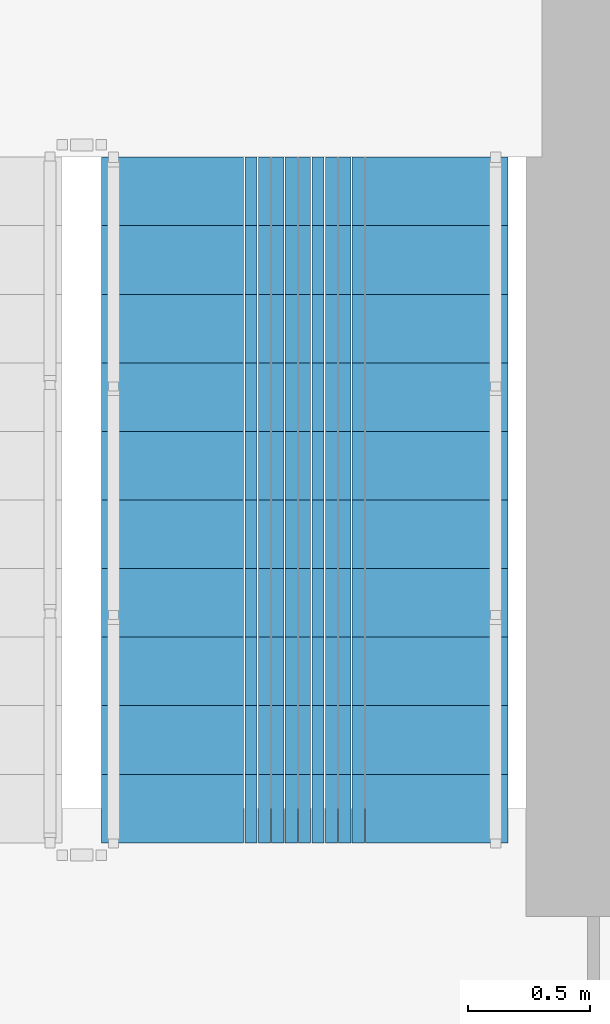
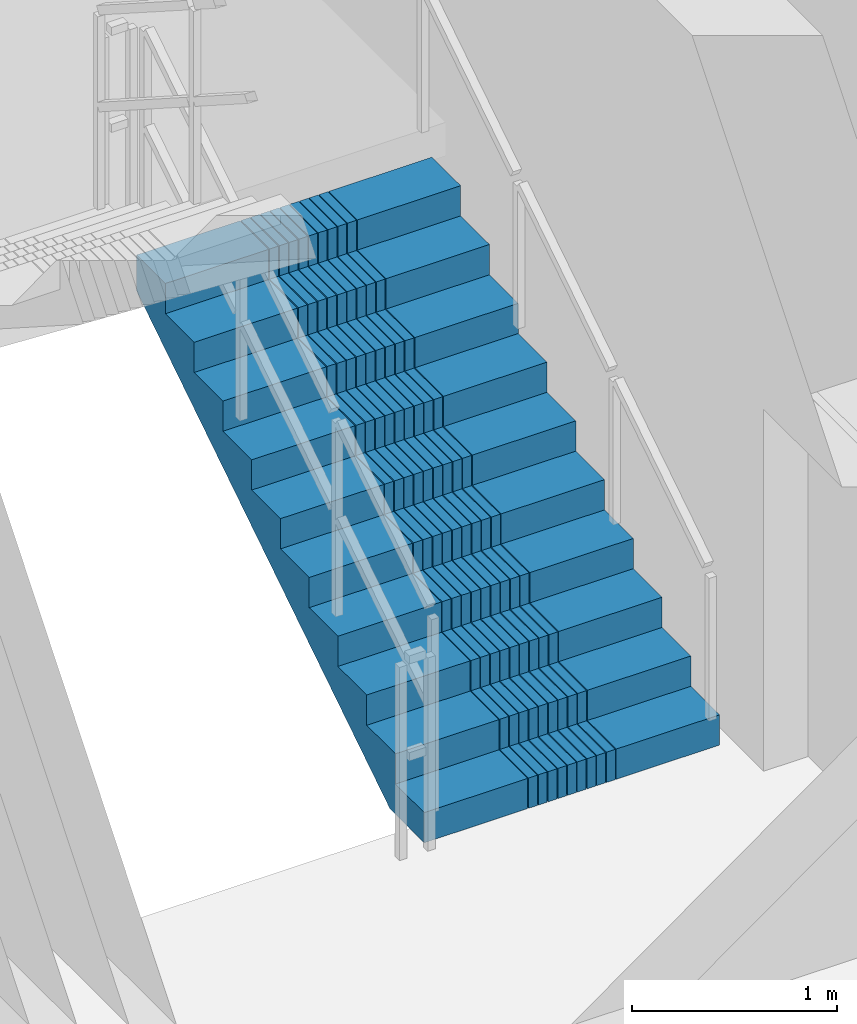
# One storey, part 31 of 35: 1 stair flight, 1 element without a shape of its own.
"""IFC4 building model written with IfcOpenShell, lengths in metres."""

import ifcopenshell
import ifcopenshell.guid

model = None  # the IFC model being written
_history = None  # IfcOwnerHistory: only IFC2X3 demands one
_inside = {}  # id of a spatial element -> (the spatial element, [elements in it])
_under = {}  # id of a project, library or spatial element -> (it, [spatial elements below it])
_declared = {}  # id of a project -> (the project, [libraries it declares])
_typed = {}  # id of a type object -> (the type object, [elements of that type])
_made_of = {}  # id of a material, layer set ... -> (it, [elements and type objects made of it])


def new_model(schema):
    """Start an empty IFC model of exactly this schema.

    Asked for "IFC4X3", IfcOpenShell would pick the latest addendum, in which some entities
    have other attributes; the version numbers below select the first issue.
    IFC2X3 requires an IfcOwnerHistory on every rooted entity: one is made here for all.
    """
    global model, _history
    if schema == "IFC4X3":
        model = ifcopenshell.file(schema_version=(4, 3, 0, 0))
    else:
        model = ifcopenshell.file(schema=schema)
    _inside.clear()
    _under.clear()
    _declared.clear()
    _typed.clear()
    _made_of.clear()
    _history = None
    if model.schema == "IFC2X3":
        org = make("IfcOrganization", Name="unknown")
        user = make(
            "IfcPersonAndOrganization",
            ThePerson=make("IfcPerson", FamilyName="unknown"),
            TheOrganization=org,
        )
        app = make(
            "IfcApplication",
            ApplicationDeveloper=org,
            Version="unknown",
            ApplicationFullName="unknown",
            ApplicationIdentifier="unknown",
        )
        _history = make(
            "IfcOwnerHistory",
            OwningUser=user,
            OwningApplication=app,
            ChangeAction="ADDED",
            CreationDate=0,
        )
    return model


def make(cls, **values):
    """One entity of the class cls with the attributes given. An attribute that is None is left unset."""
    return model.create_entity(
        cls, **{name: value for name, value in values.items() if value is not None}
    )


def rooted(cls, **values):
    """An entity with a GlobalId (a new one), such as an element, a storey or a relation."""
    return make(cls, GlobalId=ifcopenshell.guid.new(), OwnerHistory=_history, **values)


def si_unit(unit_type, name, prefix=None):
    """IfcSIUnit, for example si_unit("LENGTHUNIT", "METRE", prefix="MILLI")."""
    return make("IfcSIUnit", UnitType=unit_type, Prefix=prefix, Name=name)


def assignment(units):
    """IfcUnitAssignment: the units of a project."""
    return None if units is None else make("IfcUnitAssignment", Units=units)


def point(xyz):
    """IfcCartesianPoint."""
    return None if xyz is None else make("IfcCartesianPoint", Coordinates=xyz)


def direction(xyz):
    """IfcDirection."""
    return None if xyz is None else make("IfcDirection", DirectionRatios=xyz)


def frame(location, z_axis=None, x_axis=None):
    """IfcAxis2Placement3D, a coordinate frame: its origin and axes. An axis left out is left unset."""
    return make(
        "IfcAxis2Placement3D",
        Location=point(location),
        Axis=direction(z_axis),
        RefDirection=direction(x_axis),
    )


def origin():
    """The frame at (0, 0, 0) with its axes left unset."""
    return frame((0.0, 0.0, 0.0))


def place(relative_to, where):
    """IfcLocalPlacement: puts the frame where relative to a parent placement (None: the world)."""
    return make(
        "IfcLocalPlacement", PlacementRelTo=relative_to, RelativePlacement=where
    )


def context(
    kind, dimensions, precision=None, world=None, true_north=None, identifier=None
):
    """IfcGeometricRepresentationContext, for example the 3D "Model" context."""
    return make(
        "IfcGeometricRepresentationContext",
        ContextIdentifier=identifier,
        ContextType=kind,
        CoordinateSpaceDimension=dimensions,
        Precision=precision,
        WorldCoordinateSystem=world,
        TrueNorth=true_north,
    )


def subcontext(parent, identifier, kind, view, scale=None):
    """IfcGeometricRepresentationSubContext, for example "Body" below "Model"."""
    return make(
        "IfcGeometricRepresentationSubContext",
        ContextIdentifier=identifier,
        ContextType=kind,
        ParentContext=parent,
        TargetScale=scale,
        TargetView=view,
    )


def project(units=None, contexts=None):
    """IfcProject with its units and contexts."""
    return rooted(
        "IfcProject",
        Name="project",
        RepresentationContexts=contexts,
        UnitsInContext=assignment(units),
    )


def spatial(cls, under=None, at=None, **own):
    """A site, building, storey or space (cls), placed at a placement, below another one or the project."""
    s = rooted(cls, ObjectPlacement=at, **own)
    if under is not None:
        _under.setdefault(under.id(), (under, []))[1].append(s)
    return s


def polyline(points):
    """IfcPolyline through the points."""
    return make("IfcPolyline", Points=[point(p) for p in points])


def outline(outer, holes=None, kind="AREA"):
    """IfcArbitraryClosedProfileDef: a profile drawn as a closed curve; with holes, ...WithVoids."""
    if holes is None:
        return make("IfcArbitraryClosedProfileDef", ProfileType=kind, OuterCurve=outer)
    return make(
        "IfcArbitraryProfileDefWithVoids",
        ProfileType=kind,
        OuterCurve=outer,
        InnerCurves=holes,
    )


def extrude(swept, where, along, depth):
    """IfcExtrudedAreaSolid: the profile swept, set in the frame where, extruded along a direction by depth."""
    return make(
        "IfcExtrudedAreaSolid",
        SweptArea=swept,
        Position=where,
        ExtrudedDirection=direction(along),
        Depth=depth,
    )


def shape(context_of_items, identifier, shape_type, items):
    """IfcShapeRepresentation: the items that make up one representation, for example the "Body"."""
    return make(
        "IfcShapeRepresentation",
        ContextOfItems=context_of_items,
        RepresentationIdentifier=identifier,
        RepresentationType=shape_type,
        Items=items,
    )


def material(Name=None, Category=None):
    """IfcMaterial."""
    return make("IfcMaterial", Name=Name, Category=Category)


def made_of(thing, what):
    """Note that an element or type object is made of a material, layer set ...; save() writes the relation."""
    if what is not None:
        _made_of.setdefault(what.id(), (what, []))[1].append(thing)
    return thing


def type_object(cls, material=None, **own):
    """A type object (cls), such as IfcWallType, which elements share."""
    return made_of(rooted(cls, **own), material)


def element(
    cls,
    number,
    at=None,
    inside=None,
    cuts=None,
    type_object=None,
    material=None,
    context=None,
    identifier="Body",
    shape_type=None,
    held_by="IfcProductDefinitionShape",
    body=None,
    shapes=None,
    **own,
):
    """One element of the class cls, such as IfcWall. Its Tag is "e" and its number.

    at: its placement. inside: the storey or other place that contains it. cuts: it is an
    opening in that element (IfcRelVoidsElement). A single representation is given by context,
    identifier, shape_type and body (its items); several are given by shapes. held_by: the class
    of the entity that holds the representations. save() writes the other relations.
    """
    e = rooted(cls, Tag="e%d" % number, ObjectPlacement=at, **own)
    if body is not None:
        shapes = [shape(context, identifier, shape_type, body)]
    if shapes is not None:
        e.Representation = make(held_by, Representations=shapes)
    if inside is not None:
        _inside.setdefault(inside.id(), (inside, []))[1].append(e)
    if cuts is not None:
        rooted(
            "IfcRelVoidsElement", RelatingBuildingElement=cuts, RelatedOpeningElement=e
        )
    if type_object is not None:
        _typed.setdefault(type_object.id(), (type_object, []))[1].append(e)
    return made_of(e, material)


def aggregate(whole, parts):
    """IfcRelAggregates: a whole, such as a stair, and the parts it consists of."""
    return rooted("IfcRelAggregates", RelatingObject=whole, RelatedObjects=parts)


def save(model, path):
    """Write the relations noted so far, then the file.

    IfcRelAggregates (storeys below a building ...), IfcRelContainedInSpatialStructure (elements
    in a storey), IfcRelDefinesByType, IfcRelAssociatesMaterial and IfcRelDeclares: one each for
    every whole, place, type object, material and project.
    """
    for whole, parts in _under.values():
        aggregate(whole, parts)
    for where, things in _inside.values():
        rooted(
            "IfcRelContainedInSpatialStructure",
            RelatedElements=things,
            RelatingStructure=where,
        )
    for kind, things in _typed.values():
        rooted("IfcRelDefinesByType", RelatedObjects=things, RelatingType=kind)
    for what, things in _made_of.values():
        rooted("IfcRelAssociatesMaterial", RelatedObjects=things, RelatingMaterial=what)
    for by, libraries in _declared.values():
        rooted("IfcRelDeclares", RelatingContext=by, RelatedDefinitions=libraries)
    model.write(path)


model = new_model("IFC4")

# Units and contexts
model_context = context("Model", 3, precision=1e-05, world=origin(), true_north=direction((0.0, 1.0)))
body_context = subcontext(model_context, "Body", "Model", "MODEL_VIEW")
ifc_project = project(units=[si_unit("LENGTHUNIT", "METRE"), si_unit("AREAUNIT", "SQUARE_METRE"), si_unit("VOLUMEUNIT", "CUBIC_METRE"), si_unit("PLANEANGLEUNIT", "RADIAN"), si_unit("MASSUNIT", "GRAM", prefix="KILO")], contexts=[model_context])

# Site, building, storey
site_placement = place(None, origin())
site = spatial("IfcSite", under=ifc_project, at=site_placement, CompositionType="ELEMENT")
building_placement = place(site_placement, origin())
building = spatial("IfcBuilding", under=site, at=building_placement, Name="Saelheon Loggia Tower", CompositionType="ELEMENT")
storey_placement = place(building_placement, frame((0.0, 0.0, 144.75)))
storey = spatial("IfcBuildingStorey", under=building, at=storey_placement, Name="L46", CompositionType="ELEMENT", Elevation=144.75)

# Stair, stair flight
ifc_material = material(Name="Concrete C40/50", Category="concrete")
stair_type = type_object("IfcStairType", Name="Stair_Escape_Core", PredefinedType="HALF_TURN_STAIR", material=ifc_material)
stair_placement = place(storey_placement, origin())
stair = element("IfcStair", 1, at=stair_placement, inside=storey, type_object=stair_type, Name="L46 Special Escape Stair ST2", PredefinedType="HALF_TURN_STAIR")
stair_flight_type = type_object("IfcStairFlightType", Name="StairFlight_Tower_1660", PredefinedType="STRAIGHT", material=ifc_material)
stair_flight_placement = place(storey_placement, frame((43.320068359375, 30.449951171875, 0.0), z_axis=(0.0, 0.0, 1.0), x_axis=(0.0, 1.0, 0.0)))
stair_flight = element("IfcStairFlight", 2, at=stair_flight_placement, type_object=stair_flight_type, Name="ST2 flight 1", NumberOfRisers=11, NumberOfTreads=10, PredefinedType="STRAIGHT", RiserHeight=0.179545455, TreadLength=0.28, context=body_context, shape_type="SweptSolid", body=[
    extrude(outline(polyline([(0.0, 0.0), (0.0, 0.179443359375), (0.280029296875, 0.179443359375), (0.280029296875, 0.359130859375), (0.56005859375, 0.359130859375), (0.56005859375, 0.53857421875), (0.840087890625, 0.53857421875), (0.840087890625, 0.71826171875), (1.1201171875, 0.71826171875), (1.1201171875, 0.897705078125), (1.39990234375, 0.897705078125), (1.39990234375, 1.077392578125), (1.679931640625, 1.077392578125), (1.679931640625, 1.2568359375), (1.9599609375, 1.2568359375), (1.9599609375, 1.436279296875), (2.239990234375, 1.436279296875), (2.239990234375, 1.615966796875), (2.52001953125, 1.615966796875), (2.52001953125, 1.79541015625), (2.800048828125, 1.79541015625), (2.800048828125, 1.97509765625), (2.800048828125, 1.581787109375), (0.333251953125, 0.0), (0.0, 0.0)])), frame((0.0, -0.2490234375, 0.0), z_axis=(0.0, -1.0, 0.0), x_axis=(1.0, 0.0, 0.0)), (0.0, 0.0, 1.0), 0.5810546875),
    extrude(outline(polyline([(0.0, 0.0), (0.0, 0.179443359375), (0.280029296875, 0.179443359375), (0.280029296875, 0.359130859375), (0.56005859375, 0.359130859375), (0.56005859375, 0.53857421875), (0.840087890625, 0.53857421875), (0.840087890625, 0.71826171875), (1.1201171875, 0.71826171875), (1.1201171875, 0.897705078125), (1.39990234375, 0.897705078125), (1.39990234375, 1.077392578125), (1.679931640625, 1.077392578125), (1.679931640625, 1.2568359375), (1.9599609375, 1.2568359375), (1.9599609375, 1.436279296875), (2.239990234375, 1.436279296875), (2.239990234375, 1.615966796875), (2.52001953125, 1.615966796875), (2.52001953125, 1.79541015625), (2.800048828125, 1.79541015625), (2.800048828125, 1.97509765625), (2.800048828125, 1.581787109375), (0.333251953125, 0.0), (0.0, 0.0)])), frame((0.0, -0.194091796875, 0.0), z_axis=(0.0, -1.0, 0.0), x_axis=(1.0, 0.0, 0.0)), (0.0, 0.0, 1.0), 0.0498046875),
    extrude(outline(polyline([(0.0, 0.0), (0.0, 0.179443359375), (0.280029296875, 0.179443359375), (0.280029296875, 0.359130859375), (0.56005859375, 0.359130859375), (0.56005859375, 0.53857421875), (0.840087890625, 0.53857421875), (0.840087890625, 0.71826171875), (1.1201171875, 0.71826171875), (1.1201171875, 0.897705078125), (1.39990234375, 0.897705078125), (1.39990234375, 1.077392578125), (1.679931640625, 1.077392578125), (1.679931640625, 1.2568359375), (1.9599609375, 1.2568359375), (1.9599609375, 1.436279296875), (2.239990234375, 1.436279296875), (2.239990234375, 1.615966796875), (2.52001953125, 1.615966796875), (2.52001953125, 1.79541015625), (2.800048828125, 1.79541015625), (2.800048828125, 1.97509765625), (2.800048828125, 1.581787109375), (0.333251953125, 0.0), (0.0, 0.0)])), frame((0.0, -0.139404296875, 0.0), z_axis=(0.0, -1.0, 0.0), x_axis=(1.0, 0.0, 0.0)), (0.0, 0.0, 1.0), 0.0498046875),
    extrude(outline(polyline([(0.0, 0.0), (0.0, 0.179443359375), (0.280029296875, 0.179443359375), (0.280029296875, 0.359130859375), (0.56005859375, 0.359130859375), (0.56005859375, 0.53857421875), (0.840087890625, 0.53857421875), (0.840087890625, 0.71826171875), (1.1201171875, 0.71826171875), (1.1201171875, 0.897705078125), (1.39990234375, 0.897705078125), (1.39990234375, 1.077392578125), (1.679931640625, 1.077392578125), (1.679931640625, 1.2568359375), (1.9599609375, 1.2568359375), (1.9599609375, 1.436279296875), (2.239990234375, 1.436279296875), (2.239990234375, 1.615966796875), (2.52001953125, 1.615966796875), (2.52001953125, 1.79541015625), (2.800048828125, 1.79541015625), (2.800048828125, 1.97509765625), (2.800048828125, 1.581787109375), (0.333251953125, 0.0), (0.0, 0.0)])), frame((0.0, -0.084716796875, 0.0), z_axis=(0.0, -1.0, 0.0), x_axis=(1.0, 0.0, 0.0)), (0.0, 0.0, 1.0), 0.0498046875),
    extrude(outline(polyline([(0.0, 0.0), (0.0, 0.179443359375), (0.280029296875, 0.179443359375), (0.280029296875, 0.359130859375), (0.56005859375, 0.359130859375), (0.56005859375, 0.53857421875), (0.840087890625, 0.53857421875), (0.840087890625, 0.71826171875), (1.1201171875, 0.71826171875), (1.1201171875, 0.897705078125), (1.39990234375, 0.897705078125), (1.39990234375, 1.077392578125), (1.679931640625, 1.077392578125), (1.679931640625, 1.2568359375), (1.9599609375, 1.2568359375), (1.9599609375, 1.436279296875), (2.239990234375, 1.436279296875), (2.239990234375, 1.615966796875), (2.52001953125, 1.615966796875), (2.52001953125, 1.79541015625), (2.800048828125, 1.79541015625), (2.800048828125, 1.97509765625), (2.800048828125, 1.581787109375), (0.333251953125, 0.0), (0.0, 0.0)])), frame((0.0, -0.02978515625, 0.0), z_axis=(0.0, -1.0, 0.0), x_axis=(1.0, 0.0, 0.0)), (0.0, 0.0, 1.0), 0.0498046875),
    extrude(outline(polyline([(0.0, 0.0), (0.0, 0.179443359375), (0.280029296875, 0.179443359375), (0.280029296875, 0.359130859375), (0.56005859375, 0.359130859375), (0.56005859375, 0.53857421875), (0.840087890625, 0.53857421875), (0.840087890625, 0.71826171875), (1.1201171875, 0.71826171875), (1.1201171875, 0.897705078125), (1.39990234375, 0.897705078125), (1.39990234375, 1.077392578125), (1.679931640625, 1.077392578125), (1.679931640625, 1.2568359375), (1.9599609375, 1.2568359375), (1.9599609375, 1.436279296875), (2.239990234375, 1.436279296875), (2.239990234375, 1.615966796875), (2.52001953125, 1.615966796875), (2.52001953125, 1.79541015625), (2.800048828125, 1.79541015625), (2.800048828125, 1.97509765625), (2.800048828125, 1.581787109375), (0.333251953125, 0.0), (0.0, 0.0)])), frame((0.0, 0.02490234375, 0.0), z_axis=(0.0, -1.0, 0.0), x_axis=(1.0, 0.0, 0.0)), (0.0, 0.0, 1.0), 0.0498046875),
    extrude(outline(polyline([(0.0, 0.0), (0.0, 0.179443359375), (0.280029296875, 0.179443359375), (0.280029296875, 0.359130859375), (0.56005859375, 0.359130859375), (0.56005859375, 0.53857421875), (0.840087890625, 0.53857421875), (0.840087890625, 0.71826171875), (1.1201171875, 0.71826171875), (1.1201171875, 0.897705078125), (1.39990234375, 0.897705078125), (1.39990234375, 1.077392578125), (1.679931640625, 1.077392578125), (1.679931640625, 1.2568359375), (1.9599609375, 1.2568359375), (1.9599609375, 1.436279296875), (2.239990234375, 1.436279296875), (2.239990234375, 1.615966796875), (2.52001953125, 1.615966796875), (2.52001953125, 1.79541015625), (2.800048828125, 1.79541015625), (2.800048828125, 1.97509765625), (2.800048828125, 1.581787109375), (0.333251953125, 0.0), (0.0, 0.0)])), frame((0.0, 0.07958984375, 0.0), z_axis=(0.0, -1.0, 0.0), x_axis=(1.0, 0.0, 0.0)), (0.0, 0.0, 1.0), 0.0498046875),
    extrude(outline(polyline([(0.0, 0.0), (0.0, 0.179443359375), (0.280029296875, 0.179443359375), (0.280029296875, 0.359130859375), (0.56005859375, 0.359130859375), (0.56005859375, 0.53857421875), (0.840087890625, 0.53857421875), (0.840087890625, 0.71826171875), (1.1201171875, 0.71826171875), (1.1201171875, 0.897705078125), (1.39990234375, 0.897705078125), (1.39990234375, 1.077392578125), (1.679931640625, 1.077392578125), (1.679931640625, 1.2568359375), (1.9599609375, 1.2568359375), (1.9599609375, 1.436279296875), (2.239990234375, 1.436279296875), (2.239990234375, 1.615966796875), (2.52001953125, 1.615966796875), (2.52001953125, 1.79541015625), (2.800048828125, 1.79541015625), (2.800048828125, 1.97509765625), (2.800048828125, 1.581787109375), (0.333251953125, 0.0), (0.0, 0.0)])), frame((0.0, 0.134521484375, 0.0), z_axis=(0.0, -1.0, 0.0), x_axis=(1.0, 0.0, 0.0)), (0.0, 0.0, 1.0), 0.0498046875),
    extrude(outline(polyline([(0.0, 0.0), (0.0, 0.179443359375), (0.280029296875, 0.179443359375), (0.280029296875, 0.359130859375), (0.56005859375, 0.359130859375), (0.56005859375, 0.53857421875), (0.840087890625, 0.53857421875), (0.840087890625, 0.71826171875), (1.1201171875, 0.71826171875), (1.1201171875, 0.897705078125), (1.39990234375, 0.897705078125), (1.39990234375, 1.077392578125), (1.679931640625, 1.077392578125), (1.679931640625, 1.2568359375), (1.9599609375, 1.2568359375), (1.9599609375, 1.436279296875), (2.239990234375, 1.436279296875), (2.239990234375, 1.615966796875), (2.52001953125, 1.615966796875), (2.52001953125, 1.79541015625), (2.800048828125, 1.79541015625), (2.800048828125, 1.97509765625), (2.800048828125, 1.581787109375), (0.333251953125, 0.0), (0.0, 0.0)])), frame((0.0, 0.189208984375, 0.0), z_axis=(0.0, -1.0, 0.0), x_axis=(1.0, 0.0, 0.0)), (0.0, 0.0, 1.0), 0.0498046875),
    extrude(outline(polyline([(0.0, 0.0), (0.0, 0.179443359375), (0.280029296875, 0.179443359375), (0.280029296875, 0.359130859375), (0.56005859375, 0.359130859375), (0.56005859375, 0.53857421875), (0.840087890625, 0.53857421875), (0.840087890625, 0.71826171875), (1.1201171875, 0.71826171875), (1.1201171875, 0.897705078125), (1.39990234375, 0.897705078125), (1.39990234375, 1.077392578125), (1.679931640625, 1.077392578125), (1.679931640625, 1.2568359375), (1.9599609375, 1.2568359375), (1.9599609375, 1.436279296875), (2.239990234375, 1.436279296875), (2.239990234375, 1.615966796875), (2.52001953125, 1.615966796875), (2.52001953125, 1.79541015625), (2.800048828125, 1.79541015625), (2.800048828125, 1.97509765625), (2.800048828125, 1.581787109375), (0.333251953125, 0.0), (0.0, 0.0)])), frame((0.0, 0.243896484375, 0.0), z_axis=(0.0, -1.0, 0.0), x_axis=(1.0, 0.0, 0.0)), (0.0, 0.0, 1.0), 0.0498046875),
    extrude(outline(polyline([(0.0, 0.0), (0.0, 0.179443359375), (0.280029296875, 0.179443359375), (0.280029296875, 0.359130859375), (0.56005859375, 0.359130859375), (0.56005859375, 0.53857421875), (0.840087890625, 0.53857421875), (0.840087890625, 0.71826171875), (1.1201171875, 0.71826171875), (1.1201171875, 0.897705078125), (1.39990234375, 0.897705078125), (1.39990234375, 1.077392578125), (1.679931640625, 1.077392578125), (1.679931640625, 1.2568359375), (1.9599609375, 1.2568359375), (1.9599609375, 1.436279296875), (2.239990234375, 1.436279296875), (2.239990234375, 1.615966796875), (2.52001953125, 1.615966796875), (2.52001953125, 1.79541015625), (2.800048828125, 1.79541015625), (2.800048828125, 1.97509765625), (2.800048828125, 1.581787109375), (0.333251953125, 0.0), (0.0, 0.0)])), frame((0.0, 0.830078125, 0.0), z_axis=(0.0, -1.0, 0.0), x_axis=(1.0, 0.0, 0.0)), (0.0, 0.0, 1.0), 0.5810546875),
])
aggregate(stair, [stair_flight])

save(model, "model.ifc")
